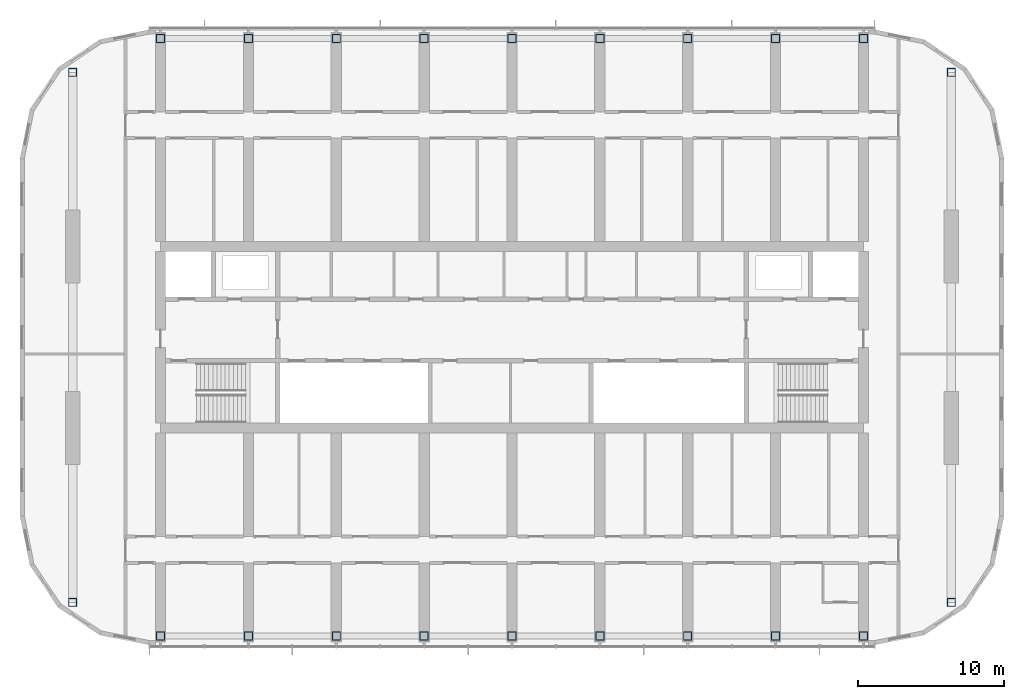
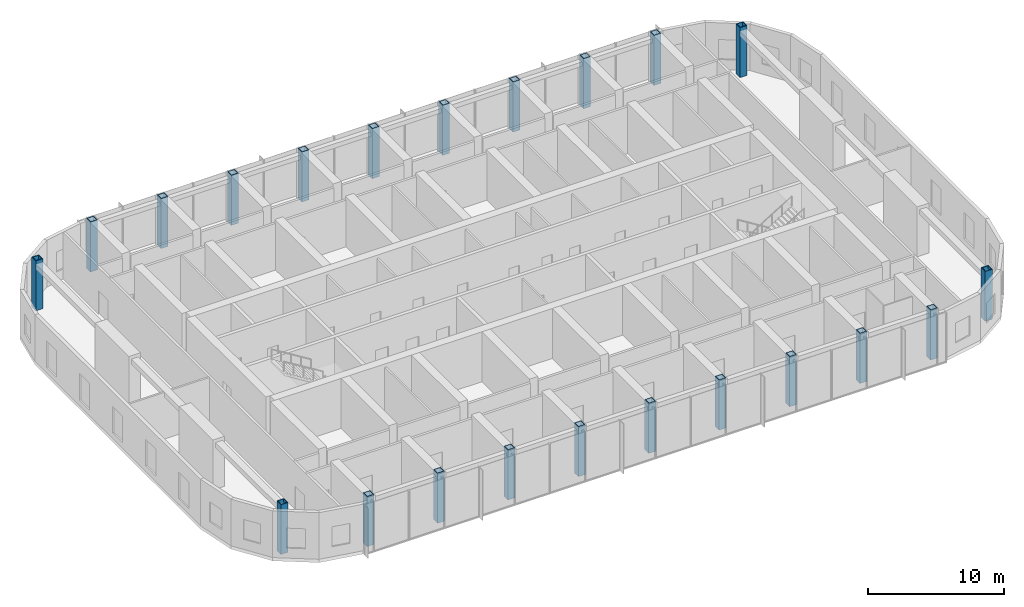
# One storey, part 1 of 21: 22 columns.
"""IFC4 building model written with IfcOpenShell, lengths in metres."""

from ifc_helpers import new_model, si_unit, direction, frame, origin, origin_2d, place, context, subcontext, project, spatial, hollow_rectangle, extrude, material, material_profile, profile_set, type_object, element, save


model = new_model("IFC4")

# Units and contexts
model_context = context("Model", 3, precision=1e-05, world=origin(), true_north=direction((0.0, 1.0)))
body_context = subcontext(model_context, "Body", "Model", "MODEL_VIEW")
ifc_project = project(units=[si_unit("LENGTHUNIT", "METRE"), si_unit("AREAUNIT", "SQUARE_METRE"), si_unit("VOLUMEUNIT", "CUBIC_METRE"), si_unit("PLANEANGLEUNIT", "RADIAN"), si_unit("MASSUNIT", "GRAM", prefix="KILO")], contexts=[model_context])

# Site, building, storey
site_placement = place(None, origin())
site = spatial("IfcSite", under=ifc_project, at=site_placement, CompositionType="ELEMENT")
building_placement = place(site_placement, origin())
building = spatial("IfcBuilding", under=site, at=building_placement, Name="Orbita Commons", CompositionType="ELEMENT")
storey_placement = place(building_placement, frame((0.0, 0.0, 257.800048828125)))
storey = spatial("IfcBuildingStorey", under=building, at=storey_placement, Name="L64", CompositionType="ELEMENT", Elevation=257.800048828125)

# Columns
ifc_material = material(Name="Steel ASTM A572 Gr 50 welded plate", Category="steel")
ifc_material_profile = material_profile(ifc_material, hollow_rectangle(XDim=0.60009765625, YDim=0.60009765625, WallThickness=0.06005859375, at=origin_2d()), Name="BOX 600x600x60")
ifc_profile_set = profile_set([ifc_material_profile], Name="Steel ASTM A572 Gr 50 welded plate")
column_type = type_object("IfcColumnType", Name="Steel column BOX 600x600x60", PredefinedType="COLUMN", material=ifc_profile_set)
for number, where, z_axis, x_axis, name in (
    (1, (18.0, 11.60009765625, 0.0), (0.0, 0.0, 1.0), (1.0, 0.0, 0.0), "Column 4/B L64"),
    (2, (18.0, 52.39990234375, 0.0), (0.0, 0.0, 1.0), (1.0, 0.0, 0.0), "Column 4/E L64"),
    (3, (24.0, 11.60009765625, 0.0), (0.0, 0.0, 1.0), (1.0, 0.0, 0.0), "Column 5/B L64"),
    (4, (24.0, 52.39990234375, 0.0), (0.0, 0.0, 1.0), (1.0, 0.0, 0.0), "Column 5/E L64"),
    (5, (30.0, 11.60009765625, 0.0), (0.0, 0.0, 1.0), (1.0, 0.0, 0.0), "Column 6/B L64"),
    (6, (30.0, 52.39990234375, 0.0), (0.0, 0.0, 1.0), (1.0, 0.0, 0.0), "Column 6/E L64"),
    (7, (36.0, 11.60009765625, 0.0), (0.0, 0.0, 1.0), (1.0, 0.0, 0.0), "Column 7/B L64"),
    (8, (36.0, 52.39990234375, 0.0), (0.0, 0.0, 1.0), (1.0, 0.0, 0.0), "Column 7/E L64"),
    (9, (42.0, 11.60009765625, 0.0), (0.0, 0.0, 1.0), (1.0, 0.0, 0.0), "Column 8/B L64"),
    (10, (42.0, 52.39990234375, 0.0), (0.0, 0.0, 1.0), (1.0, 0.0, 0.0), "Column 8/E L64"),
    (11, (48.0, 11.60009765625, 0.0), (0.0, 0.0, 1.0), (1.0, 0.0, 0.0), "Column 9/B L64"),
    (12, (48.0, 52.39990234375, 0.0), (0.0, 0.0, 1.0), (1.0, 0.0, 0.0), "Column 9/E L64"),
    (13, (54.0, 11.60009765625, 0.0), (0.0, 0.0, 1.0), (1.0, 0.0, 0.0), "Column 10/B L64"),
    (14, (54.0, 52.39990234375, 0.0), (0.0, 0.0, 1.0), (1.0, 0.0, 0.0), "Column 10/E L64"),
    (15, (60.0, 11.60009765625, 0.0), (0.0, 0.0, 1.0), (1.0, 0.0, 0.0), "Column 11/B L64"),
    (16, (60.0, 52.39990234375, 0.0), (0.0, 0.0, 1.0), (1.0, 0.0, 0.0), "Column 11/E L64"),
    (17, (66.0, 11.60009765625, 0.0), (0.0, 0.0, 1.0), (1.0, 0.0, 0.0), "Column 12/B L64"),
    (18, (66.0, 52.39990234375, 0.0), (0.0, 0.0, 1.0), (1.0, 0.0, 0.0), "Column 12/E L64"),
    (19, (12.0, 13.89990234375, 0.0), (0.0, 0.0, 1.0), (1.0, 0.0, 0.0), "Column 3/13.9 L64"),
    (20, (12.0, 50.10009765625, 0.0), (0.0, 0.0, 1.0), (1.0, 0.0, 0.0), "Column 3/50.1 L64"),
    (21, (72.0, 13.89990234375, 0.0), (0.0, 0.0, 1.0), (1.0, 0.0, 0.0), "Column 13/13.9 L64"),
    (22, (72.0, 50.10009765625, 0.0), (0.0, 0.0, 1.0), (1.0, 0.0, 0.0), "Column 13/50.1 L64"),
):
    element("IfcColumn", number, at=place(storey_placement, frame(where, z_axis=z_axis, x_axis=x_axis)), inside=storey, type_object=column_type, Name=name, PredefinedType="COLUMN", context=body_context, shape_type="SweptSolid", body=[
        extrude(hollow_rectangle(XDim=0.60009765625, YDim=0.60009765625, WallThickness=0.06005859375, at=origin_2d()), origin(), (0.0, 0.0, 1.0), 4.5),
    ])

save(model, "model.ifc")
